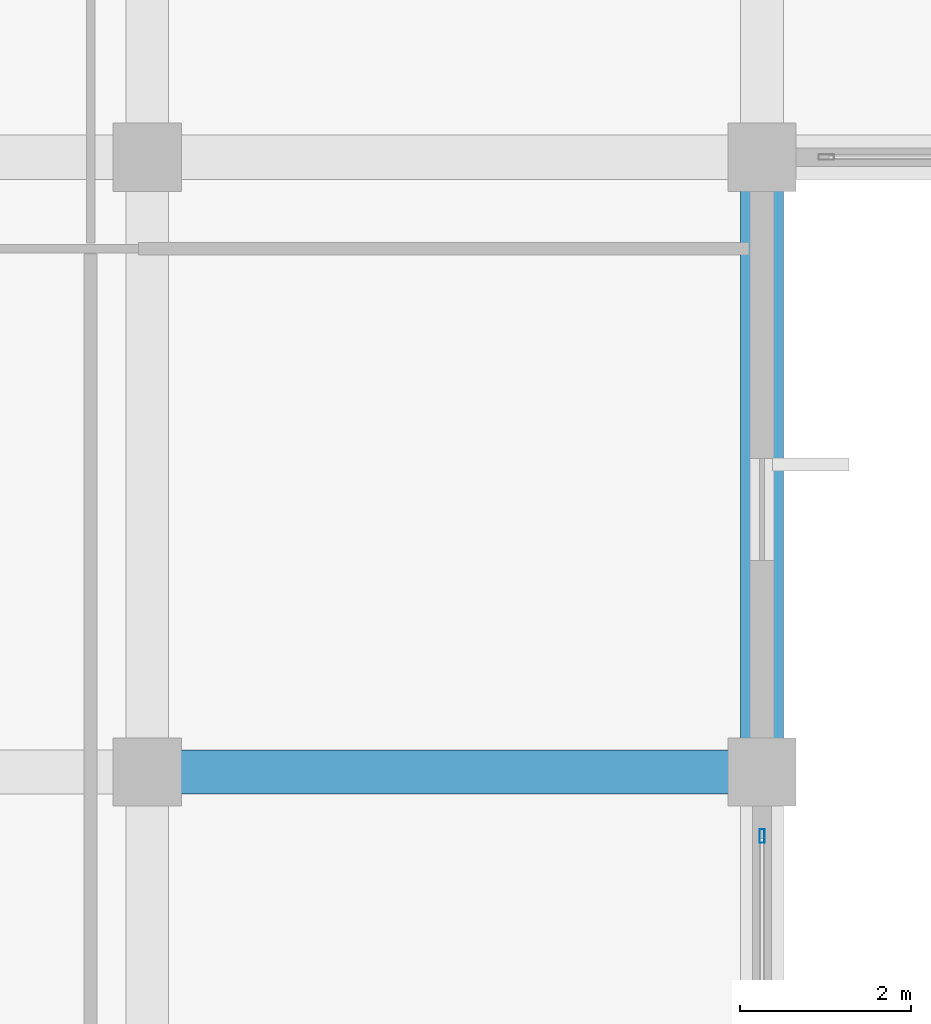
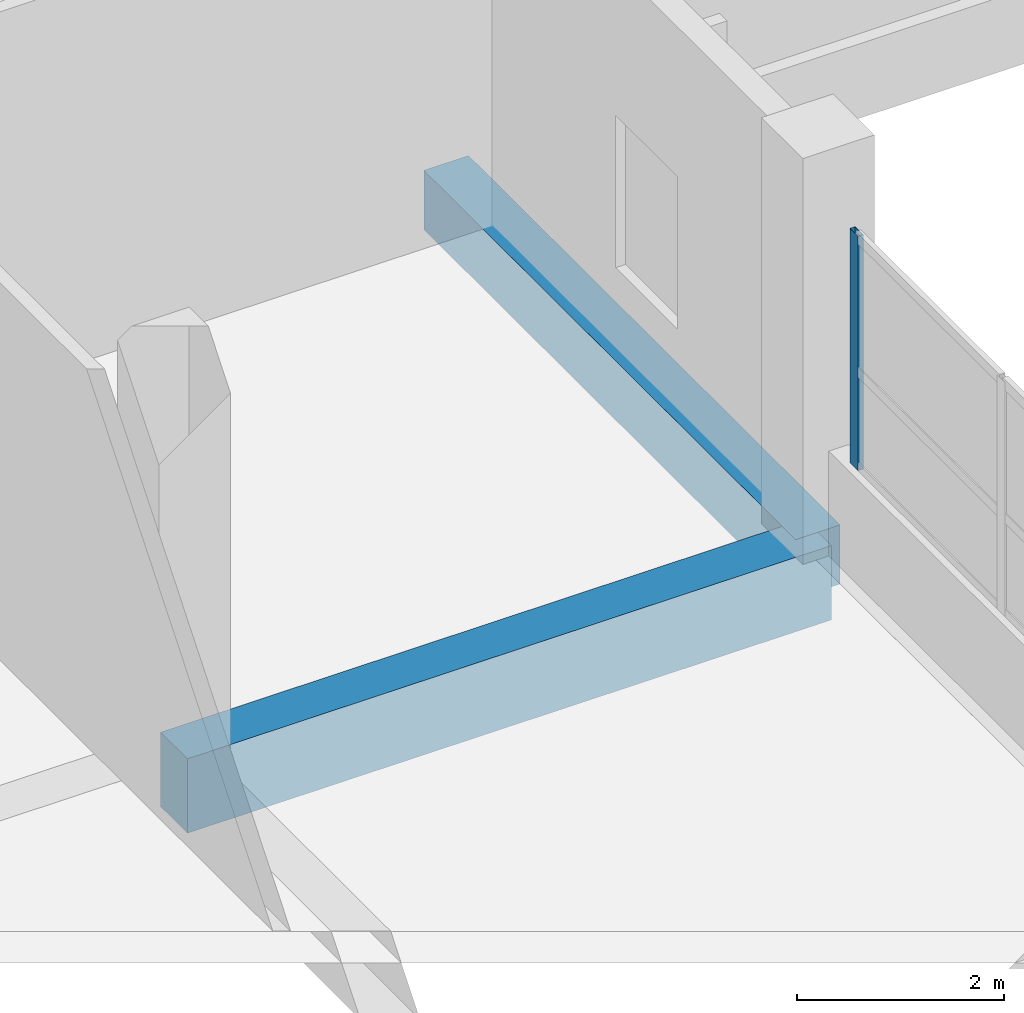
# One storey, part 24 of 140: 2 beams, 1 member, 1 element without a shape of its own.
"""IFC4 building model written with IfcOpenShell, lengths in metres."""

from ifc_helpers import new_model, si_unit, direction, frame, origin, origin_2d, place, context, subcontext, project, spatial, rectangle, hollow_rectangle, extrude, material, layer, layer_set, material_profile, profile_set, type_object, element, aggregate, save


model = new_model("IFC4")

# Units and contexts
model_context = context("Model", 3, precision=1e-05, world=origin(), true_north=direction((0.0, 1.0)))
body_context = subcontext(model_context, "Body", "Model", "MODEL_VIEW")
ifc_project = project(units=[si_unit("LENGTHUNIT", "METRE"), si_unit("AREAUNIT", "SQUARE_METRE"), si_unit("VOLUMEUNIT", "CUBIC_METRE"), si_unit("PLANEANGLEUNIT", "RADIAN"), si_unit("MASSUNIT", "GRAM", prefix="KILO")], contexts=[model_context])

# Site, building, storey
site_placement = place(None, origin())
site = spatial("IfcSite", under=ifc_project, at=site_placement, CompositionType="ELEMENT")
building_placement = place(site_placement, origin())
building = spatial("IfcBuilding", under=site, at=building_placement, Name="Seraya Terrace Polytechnic", CompositionType="ELEMENT")
storey_placement = place(building_placement, frame((0.0, 0.0, 9.60009765625)))
storey = spatial("IfcBuildingStorey", under=building, at=storey_placement, Name="L02", CompositionType="ELEMENT", Elevation=9.60009765625)

# Beams
ifc_material_1 = material(Name="Concrete C40/50", Category="concrete")
ifc_material_profile_1 = material_profile(ifc_material_1, rectangle(XDim=0.52001953125, YDim=0.8798828125, at=origin_2d()), Name="RC 520x880")
ifc_profile_set_1 = profile_set([ifc_material_profile_1], Name="Concrete C40/50")
beam_type_1 = type_object("IfcBeamType", Name="BM-04", PredefinedType="BEAM", material=ifc_profile_set_1)
beam_1_placement = place(storey_placement, frame((36.0, 57.60009765625, -0.440185546875), z_axis=(1.0, 0.0, 0.0), x_axis=(0.0, 1.0, 0.0)))
element("IfcBeam", 1, at=beam_1_placement, inside=storey, type_object=beam_type_1, Name="Beam BM-04 L02 X (36.0..43.2, 57.6)", PredefinedType="BEAM", context=body_context, shape_type="SweptSolid", body=[
    extrude(rectangle(XDim=0.52001953125, YDim=0.8798828125, at=origin_2d()), origin(), (0.0, 0.0, 1.0), 7.199951171875),
])
ifc_material_profile_2 = material_profile(ifc_material_1, rectangle(XDim=0.5, YDim=0.699951171875, at=origin_2d()), Name="RC 500x700")
ifc_profile_set_2 = profile_set([ifc_material_profile_2], Name="Concrete C40/50")
beam_type_2 = type_object("IfcBeamType", Name="BM-07", PredefinedType="BEAM", material=ifc_profile_set_2)
beam_2_placement = place(storey_placement, frame((43.199951171875, 57.60009765625, -0.35009765625), z_axis=(0.0, 1.0, 0.0), x_axis=(-1.0, 0.0, 0.0)))
element("IfcBeam", 2, at=beam_2_placement, inside=storey, type_object=beam_type_2, Name="Beam BM-07 L02 Y (43.2, 57.6..64.8)", PredefinedType="BEAM", context=body_context, shape_type="SweptSolid", body=[
    extrude(rectangle(XDim=0.5, YDim=0.699951171875, at=origin_2d()), origin(), (0.0, 0.0, 1.0), 7.199951171875),
])

# Curtain wall, member
ifc_material_2 = material(Name="Anodised aluminium EN AW-6063 T6", Category="aluminium")
ifc_layer = layer(ifc_material_2, 0.179931640625, Name="CW-14")
ifc_layer_set = layer_set([ifc_layer], Name="Anodised aluminium EN AW-6063 T6")
curtain_wall_type = type_object("IfcCurtainWallType", Name="CW-14", PredefinedType="NOTDEFINED", material=ifc_layer_set)
curtain_wall_placement = place(storey_placement, origin())
curtain_wall = element("IfcCurtainWall", 3, at=curtain_wall_placement, inside=storey, type_object=curtain_wall_type, Name="Unitised curtain wall CW-14 (CW-L02-086)", PredefinedType="NOTDEFINED")
ifc_material_profile_3 = material_profile(ifc_material_2, hollow_rectangle(XDim=0.06005859375, YDim=0.159912109375, WallThickness=0.00341796875, at=origin_2d()), Name="RHS 160x60x3.5")
ifc_profile_set_3 = profile_set([ifc_material_profile_3], Name="Anodised aluminium EN AW-6063 T6")
member_type = type_object("IfcMemberType", Name="CWM-02", PredefinedType="MULLION", material=ifc_profile_set_3)
member_placement = place(storey_placement, frame((43.199951171875, 56.85009765625, 1.239990234375), z_axis=(0.0, 0.0, 1.0), x_axis=(1.0, 0.0, 0.0)))
member = element("IfcMember", 4, at=member_placement, type_object=member_type, Name="CW-14 mullion 1", PredefinedType="MULLION", context=body_context, shape_type="SweptSolid", body=[
    extrude(hollow_rectangle(XDim=0.06005859375, YDim=0.159912109375, WallThickness=0.00341796875, at=origin_2d()), origin(), (0.0, 0.0, 1.0), 2.77001953125),
])
aggregate(curtain_wall, [member])

save(model, "model.ifc")
